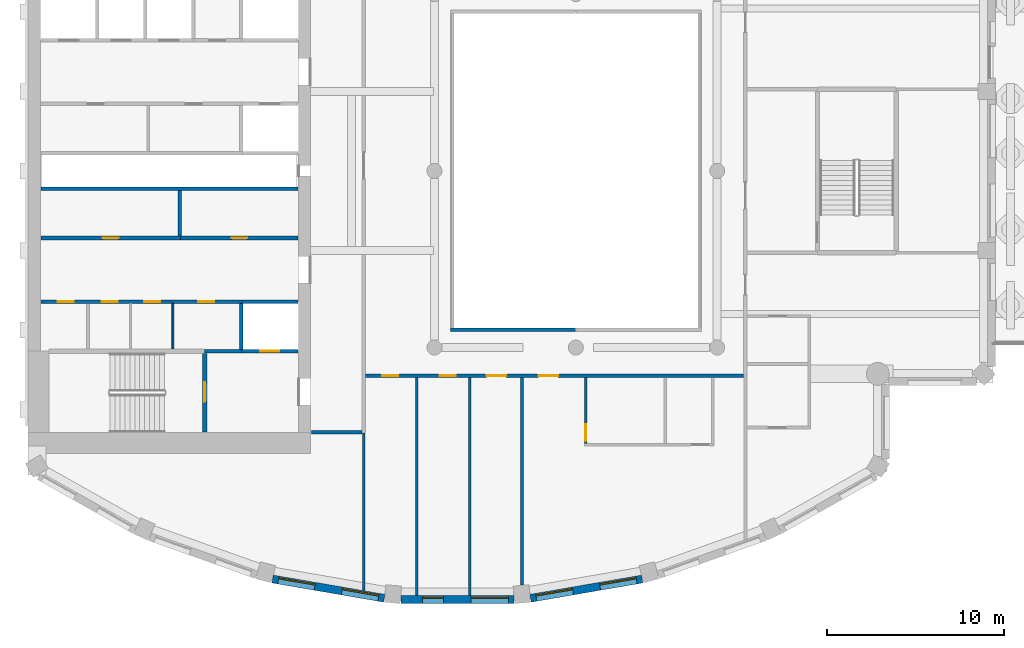
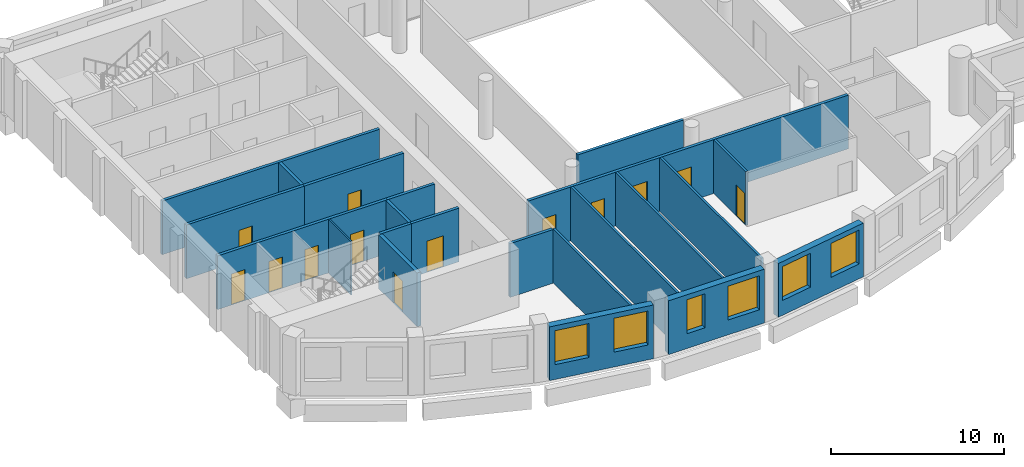
# One storey, part 5 of 15: 22 walls, 13 doors, 6 windows, 19 openings.
"""IFC4 building model written with IfcOpenShell, lengths in metres."""

from ifc_helpers import new_model, si_unit, direction, frame, frame_2d, origin, place, context, subcontext, project, spatial, rectangle, extrude, material, layer, layer_set, type_object, element, fill, save


model = new_model("IFC4")

# Units and contexts
model_context = context("Model", 3, precision=1e-05, world=origin(), true_north=direction((0.0, 1.0)))
body_context = subcontext(model_context, "Body", "Model", "MODEL_VIEW")
ifc_project = project(units=[si_unit("LENGTHUNIT", "METRE"), si_unit("AREAUNIT", "SQUARE_METRE"), si_unit("VOLUMEUNIT", "CUBIC_METRE"), si_unit("PLANEANGLEUNIT", "RADIAN"), si_unit("MASSUNIT", "GRAM", prefix="KILO")], contexts=[model_context])

# Site, building, storey
site_placement = place(None, origin())
site = spatial("IfcSite", under=ifc_project, at=site_placement, CompositionType="ELEMENT")
building_placement = place(site_placement, origin())
building = spatial("IfcBuilding", under=site, at=building_placement, Name="Cypress Arch Tower", CompositionType="ELEMENT")
storey_placement = place(building_placement, frame((0.0, 0.0, 243.39990234375)))
storey = spatial("IfcBuildingStorey", under=building, at=storey_placement, Name="L54", CompositionType="ELEMENT", Elevation=243.39990234375)

# Wall, openings, windows
ifc_material_1 = material(Name="Brick (red buff blend)", Category="masonry")
ifc_layer_1 = layer(ifc_material_1, 0.449951171875)
ifc_layer_set_1 = layer_set([ifc_layer_1], Name="Brick pier and spandrel wall BW450")
wall_type_1 = type_object("IfcWallType", Name="Brick pier and spandrel wall BW450", PredefinedType="SOLIDWALL", material=ifc_layer_set_1)
wall_1_placement = place(storey_placement, frame((-16.15673828125, -23.09716796875, 0.0), z_axis=(0.0, 0.0, 1.0), x_axis=(0.985502073964, -0.169663379113, 0.0)))
wall_1 = element("IfcWall", 1, at=wall_1_placement, inside=storey, type_object=wall_type_1, Name="Brick wall L54 C10.0", PredefinedType="SOLIDWALL", context=body_context, shape_type="SweptSolid", body=[
    extrude(rectangle(XDim=6.412109375, YDim=0.449951171875, at=frame_2d((3.2060546875, 0.0))), origin(), (0.0, 0.0, 1.0), 3.800048828125),
])
opening_1_placement = place(wall_1_placement, frame((0.3271484375, 0.0, 1.050048828125)))
opening_1 = element("IfcOpeningElement", 2, at=opening_1_placement, cuts=wall_1, Name="Opening W210O", PredefinedType="OPENING", context=body_context, shape_type="SweptSolid", body=[
    extrude(rectangle(XDim=2.10009765625, YDim=2.39990234375, at=frame_2d((1.050048828125, 1.199951171875))), frame((0.0, 0.23486328125, 0.0), z_axis=(0.0, -1.0, 0.0), x_axis=(1.0, 0.0, 0.0)), (0.0, 0.0, 1.0), 0.469970703125),
])
opening_2_placement = place(wall_1_placement, frame((3.98486328125, 0.0, 1.050048828125)))
opening_2 = element("IfcOpeningElement", 3, at=opening_2_placement, cuts=wall_1, Name="Opening W210O", PredefinedType="OPENING", context=body_context, shape_type="SweptSolid", body=[
    extrude(rectangle(XDim=2.10009765625, YDim=2.39990234375, at=frame_2d((1.050048828125, 1.199951171875))), frame((0.0, 0.23486328125, 0.0), z_axis=(0.0, -1.0, 0.0), x_axis=(1.0, 0.0, 0.0)), (0.0, 0.0, 1.0), 0.469970703125),
])
ifc_material_2 = material(Name="Anodised aluminium, bronze finish, clear low-emissivity double glazing", Category="aluminium")
window_type_1 = type_object("IfcWindowType", Name="Window Office 2100x2400", PartitioningType="SINGLE_PANEL", PredefinedType="WINDOW", material=ifc_material_2)
window_1_placement = place(opening_1_placement, origin())
window_1 = element("IfcWindow", 4, at=window_1_placement, inside=storey, type_object=window_type_1, Name="Window L54 C10.0.1", OverallHeight=2.39990234375, OverallWidth=2.10009765625, PartitioningType="SINGLE_PANEL", PredefinedType="WINDOW", context=body_context, shape_type="SweptSolid", body=[
    extrude(rectangle(XDim=2.10009765625, YDim=2.39990234375, at=frame_2d((1.050048828125, 1.199951171875))), frame((0.0, 0.135009765625, 0.0), z_axis=(0.0, -1.0, 0.0), x_axis=(1.0, 0.0, 0.0)), (0.0, 0.0, 1.0), 0.06005859375),
])
fill(opening_1, window_1)
window_2_placement = place(opening_2_placement, origin())
window_2 = element("IfcWindow", 5, at=window_2_placement, inside=storey, type_object=window_type_1, Name="Window L54 C10.0.2", OverallHeight=2.39990234375, OverallWidth=2.10009765625, PartitioningType="SINGLE_PANEL", PredefinedType="WINDOW", context=body_context, shape_type="SweptSolid", body=[
    extrude(rectangle(XDim=2.10009765625, YDim=2.39990234375, at=frame_2d((1.050048828125, 1.199951171875))), frame((0.0, 0.135009765625, 0.0), z_axis=(0.0, -1.0, 0.0), x_axis=(1.0, 0.0, 0.0)), (0.0, 0.0, 1.0), 0.06005859375),
])
fill(opening_2, window_2)

wall_2_placement = place(storey_placement, frame((-8.90283203125, -24.264892578125, 0.0), z_axis=(0.0, 0.0, 1.0), x_axis=(1.0, 0.0, 0.0)))
wall_2 = element("IfcWall", 6, at=wall_2_placement, inside=storey, type_object=wall_type_1, Name="Brick wall L54 C11.0", PredefinedType="SOLIDWALL", context=body_context, shape_type="SweptSolid", body=[
    extrude(rectangle(XDim=6.405517578125, YDim=0.449951171875, at=frame_2d((3.20263671875, 0.0))), origin(), (0.0, 0.0, 1.0), 3.800048828125),
])
opening_3_placement = place(wall_2_placement, frame((3.97998046875, 0.0, 1.050048828125)))
opening_3 = element("IfcOpeningElement", 7, at=opening_3_placement, cuts=wall_2, Name="Opening W210O", PredefinedType="OPENING", context=body_context, shape_type="SweptSolid", body=[
    extrude(rectangle(XDim=2.10009765625, YDim=2.39990234375, at=frame_2d((1.050048828125, 1.199951171875))), frame((0.0, 0.23486328125, 0.0), z_axis=(0.0, -1.0, 0.0), x_axis=(1.0, 0.0, 0.0)), (0.0, 0.0, 1.0), 0.469970703125),
])
opening_4_placement = place(wall_2_placement, frame((1.214111328125, 0.0, 1.050048828125)))
opening_4 = element("IfcOpeningElement", 8, at=opening_4_placement, cuts=wall_2, Name="Opening W120O", PredefinedType="OPENING", context=body_context, shape_type="SweptSolid", body=[
    extrude(rectangle(XDim=1.199951171875, YDim=2.39990234375, at=frame_2d((0.60009765625, 1.199951171875))), frame((0.0, 0.23486328125, 0.0), z_axis=(0.0, -1.0, 0.0), x_axis=(1.0, 0.0, 0.0)), (0.0, 0.0, 1.0), 0.469970703125),
])
ifc_material_3 = material(Name="Anodised aluminium, bronze finish, clear low-emissivity double glazing", Category="aluminium")
window_type_2 = type_object("IfcWindowType", Name="Window Office 1200x2400", PartitioningType="SINGLE_PANEL", PredefinedType="WINDOW", material=ifc_material_3)
window_3_placement = place(opening_4_placement, origin())
window_3 = element("IfcWindow", 9, at=window_3_placement, inside=storey, type_object=window_type_2, Name="Window L54 C11.0.1", OverallHeight=2.39990234375, OverallWidth=1.199951171875, PartitioningType="SINGLE_PANEL", PredefinedType="WINDOW", context=body_context, shape_type="SweptSolid", body=[
    extrude(rectangle(XDim=1.199951171875, YDim=2.39990234375, at=frame_2d((0.60009765625, 1.199951171875))), frame((0.0, 0.135009765625, 0.0), z_axis=(0.0, -1.0, 0.0), x_axis=(1.0, 0.0, 0.0)), (0.0, 0.0, 1.0), 0.06005859375),
])
fill(opening_4, window_3)
window_4_placement = place(opening_3_placement, origin())
window_4 = element("IfcWindow", 10, at=window_4_placement, inside=storey, type_object=window_type_1, Name="Window L54 C11.0.2", OverallHeight=2.39990234375, OverallWidth=2.10009765625, PartitioningType="SINGLE_PANEL", PredefinedType="WINDOW", context=body_context, shape_type="SweptSolid", body=[
    extrude(rectangle(XDim=2.10009765625, YDim=2.39990234375, at=frame_2d((1.050048828125, 1.199951171875))), frame((0.0, 0.135009765625, 0.0), z_axis=(0.0, -1.0, 0.0), x_axis=(1.0, 0.0, 0.0)), (0.0, 0.0, 1.0), 0.06005859375),
])
fill(opening_3, window_4)

wall_3_placement = place(storey_placement, frame((-1.562255859375, -24.18505859375, 0.0), z_axis=(0.0, 0.0, 1.0), x_axis=(0.985502073964, 0.169663379113, 0.0)))
wall_3 = element("IfcWall", 11, at=wall_3_placement, inside=storey, type_object=wall_type_1, Name="Brick wall L54 C12.0", PredefinedType="SOLIDWALL", context=body_context, shape_type="SweptSolid", body=[
    extrude(rectangle(XDim=6.412109375, YDim=0.449951171875, at=frame_2d((3.2060546875, 0.0))), origin(), (0.0, 0.0, 1.0), 3.800048828125),
])
opening_5_placement = place(wall_3_placement, frame((0.3271484375, 0.0, 1.050048828125)))
opening_5 = element("IfcOpeningElement", 12, at=opening_5_placement, cuts=wall_3, Name="Opening W210O", PredefinedType="OPENING", context=body_context, shape_type="SweptSolid", body=[
    extrude(rectangle(XDim=2.10009765625, YDim=2.39990234375, at=frame_2d((1.050048828125, 1.199951171875))), frame((0.0, 0.23486328125, 0.0), z_axis=(0.0, -1.0, 0.0), x_axis=(1.0, 0.0, 0.0)), (0.0, 0.0, 1.0), 0.469970703125),
])
opening_6_placement = place(wall_3_placement, frame((3.98486328125, 0.0, 1.050048828125)))
opening_6 = element("IfcOpeningElement", 13, at=opening_6_placement, cuts=wall_3, Name="Opening W210O", PredefinedType="OPENING", context=body_context, shape_type="SweptSolid", body=[
    extrude(rectangle(XDim=2.10009765625, YDim=2.39990234375, at=frame_2d((1.050048828125, 1.199951171875))), frame((0.0, 0.23486328125, 0.0), z_axis=(0.0, -1.0, 0.0), x_axis=(1.0, 0.0, 0.0)), (0.0, 0.0, 1.0), 0.469970703125),
])
window_5_placement = place(opening_5_placement, origin())
window_5 = element("IfcWindow", 14, at=window_5_placement, inside=storey, type_object=window_type_1, Name="Window L54 C12.0.1", OverallHeight=2.39990234375, OverallWidth=2.10009765625, PartitioningType="SINGLE_PANEL", PredefinedType="WINDOW", context=body_context, shape_type="SweptSolid", body=[
    extrude(rectangle(XDim=2.10009765625, YDim=2.39990234375, at=frame_2d((1.050048828125, 1.199951171875))), frame((0.0, 0.135009765625, 0.0), z_axis=(0.0, -1.0, 0.0), x_axis=(1.0, 0.0, 0.0)), (0.0, 0.0, 1.0), 0.06005859375),
])
fill(opening_5, window_5)
window_6_placement = place(opening_6_placement, origin())
window_6 = element("IfcWindow", 15, at=window_6_placement, inside=storey, type_object=window_type_1, Name="Window L54 C12.0.2", OverallHeight=2.39990234375, OverallWidth=2.10009765625, PartitioningType="SINGLE_PANEL", PredefinedType="WINDOW", context=body_context, shape_type="SweptSolid", body=[
    extrude(rectangle(XDim=2.10009765625, YDim=2.39990234375, at=frame_2d((1.050048828125, 1.199951171875))), frame((0.0, 0.135009765625, 0.0), z_axis=(0.0, -1.0, 0.0), x_axis=(1.0, 0.0, 0.0)), (0.0, 0.0, 1.0), 0.06005859375),
])
fill(opening_6, window_6)

# Wall, openings, doors
ifc_material_4 = material(Name="Concrete blockwork, plastered, rated", Category="masonry")
ifc_layer_2 = layer(ifc_material_4, 0.199951171875)
ifc_layer_set_2 = layer_set([ifc_layer_2], Name="Corridor wall FW200")
wall_type_2 = type_object("IfcWallType", Name="Corridor wall FW200", PredefinedType="PARTITIONING", material=ifc_layer_set_2)
wall_4_placement = place(storey_placement, frame((-29.27001953125, -7.39990234375, 0.0), z_axis=(0.0, 0.0, 1.0), x_axis=(1.0, 0.0, 0.0)))
wall_4 = element("IfcWall", 16, at=wall_4_placement, inside=storey, type_object=wall_type_2, Name="Corridor wall", PredefinedType="PARTITIONING", context=body_context, shape_type="SweptSolid", body=[
    extrude(rectangle(XDim=11.3701171875, YDim=0.199951171875, at=frame_2d((5.68505859375, 0.0))), origin(), (0.0, 0.0, 1.0), 3.800048828125),
])
opening_7_placement = place(wall_4_placement, frame((0.949951171875, 0.0, 0.0)))
opening_7 = element("IfcOpeningElement", 17, at=opening_7_placement, cuts=wall_4, Name="Opening D05", PredefinedType="OPENING", context=body_context, shape_type="SweptSolid", body=[
    extrude(rectangle(XDim=0.89990234375, YDim=2.199951171875, at=frame_2d((0.449951171875, 1.10009765625))), frame((0.0, 0.10986328125, 0.0), z_axis=(0.0, -1.0, 0.0), x_axis=(1.0, 0.0, 0.0)), (0.0, 0.0, 1.0), 0.219970703125),
])
opening_8_placement = place(wall_4_placement, frame((3.449951171875, 0.0, 0.0)))
opening_8 = element("IfcOpeningElement", 18, at=opening_8_placement, cuts=wall_4, Name="Opening D05", PredefinedType="OPENING", context=body_context, shape_type="SweptSolid", body=[
    extrude(rectangle(XDim=0.89990234375, YDim=2.199951171875, at=frame_2d((0.449951171875, 1.10009765625))), frame((0.0, 0.10986328125, 0.0), z_axis=(0.0, -1.0, 0.0), x_axis=(1.0, 0.0, 0.0)), (0.0, 0.0, 1.0), 0.219970703125),
])
opening_9_placement = place(wall_4_placement, frame((5.85009765625, 0.0, 0.0)))
opening_9 = element("IfcOpeningElement", 19, at=opening_9_placement, cuts=wall_4, Name="Opening D05", PredefinedType="OPENING", context=body_context, shape_type="SweptSolid", body=[
    extrude(rectangle(XDim=0.89990234375, YDim=2.199951171875, at=frame_2d((0.449951171875, 1.10009765625))), frame((0.0, 0.10986328125, 0.0), z_axis=(0.0, -1.0, 0.0), x_axis=(1.0, 0.0, 0.0)), (0.0, 0.0, 1.0), 0.219970703125),
])
opening_10_placement = place(wall_4_placement, frame((8.89990234375, 0.0, 0.0)))
opening_10 = element("IfcOpeningElement", 20, at=opening_10_placement, cuts=wall_4, Name="Opening D05", PredefinedType="OPENING", context=body_context, shape_type="SweptSolid", body=[
    extrude(rectangle(XDim=0.89990234375, YDim=2.199951171875, at=frame_2d((0.449951171875, 1.10009765625))), frame((0.0, 0.10986328125, 0.0), z_axis=(0.0, -1.0, 0.0), x_axis=(1.0, 0.0, 0.0)), (0.0, 0.0, 1.0), 0.219970703125),
])
ifc_material_5 = material(Name="Timber flush door", Category="wood")
door_type_1 = type_object("IfcDoorType", Name="Service door D05 900x2200", OperationType="SINGLE_SWING_LEFT", PredefinedType="DOOR", material=ifc_material_5)
door_1_placement = place(opening_7_placement, origin())
door_1 = element("IfcDoor", 21, at=door_1_placement, inside=storey, type_object=door_type_1, Name="Service door", OperationType="SINGLE_SWING_LEFT", OverallHeight=2.199951171875, OverallWidth=0.89990234375, PredefinedType="DOOR", context=body_context, shape_type="SweptSolid", body=[
    extrude(rectangle(XDim=0.89990234375, YDim=2.199951171875, at=frame_2d((0.449951171875, 1.10009765625))), frame((0.0, 0.02490234375, 0.0), z_axis=(0.0, -1.0, 0.0), x_axis=(1.0, 0.0, 0.0)), (0.0, 0.0, 1.0), 0.050048828125),
])
fill(opening_7, door_1)
door_2_placement = place(opening_8_placement, origin())
door_2 = element("IfcDoor", 22, at=door_2_placement, inside=storey, type_object=door_type_1, Name="Service door", OperationType="SINGLE_SWING_LEFT", OverallHeight=2.199951171875, OverallWidth=0.89990234375, PredefinedType="DOOR", context=body_context, shape_type="SweptSolid", body=[
    extrude(rectangle(XDim=0.89990234375, YDim=2.199951171875, at=frame_2d((0.449951171875, 1.10009765625))), frame((0.0, 0.02490234375, 0.0), z_axis=(0.0, -1.0, 0.0), x_axis=(1.0, 0.0, 0.0)), (0.0, 0.0, 1.0), 0.050048828125),
])
fill(opening_8, door_2)
door_3_placement = place(opening_9_placement, origin())
door_3 = element("IfcDoor", 23, at=door_3_placement, inside=storey, type_object=door_type_1, Name="Service door", OperationType="SINGLE_SWING_LEFT", OverallHeight=2.199951171875, OverallWidth=0.89990234375, PredefinedType="DOOR", context=body_context, shape_type="SweptSolid", body=[
    extrude(rectangle(XDim=0.89990234375, YDim=2.199951171875, at=frame_2d((0.449951171875, 1.10009765625))), frame((0.0, 0.02490234375, 0.0), z_axis=(0.0, -1.0, 0.0), x_axis=(1.0, 0.0, 0.0)), (0.0, 0.0, 1.0), 0.050048828125),
])
fill(opening_9, door_3)
door_4_placement = place(opening_10_placement, origin())
door_4 = element("IfcDoor", 24, at=door_4_placement, inside=storey, type_object=door_type_1, Name="Service door", OperationType="SINGLE_SWING_RIGHT", OverallHeight=2.199951171875, OverallWidth=0.89990234375, PredefinedType="DOOR", context=body_context, shape_type="SweptSolid", body=[
    extrude(rectangle(XDim=0.89990234375, YDim=2.199951171875, at=frame_2d((0.449951171875, 1.10009765625))), frame((0.0, 0.02490234375, 0.0), z_axis=(0.0, -1.0, 0.0), x_axis=(1.0, 0.0, 0.0)), (0.0, 0.0, 1.0), 0.050048828125),
])
fill(opening_10, door_4)

# Wall, opening, door
wall_5_placement = place(storey_placement, frame((-21.3798828125, -3.800048828125, 0.0), z_axis=(0.0, 0.0, 1.0), x_axis=(1.0, 0.0, 0.0)))
wall_5 = element("IfcWall", 25, at=wall_5_placement, inside=storey, type_object=wall_type_2, Name="Corridor wall", PredefinedType="PARTITIONING", context=body_context, shape_type="SweptSolid", body=[
    extrude(rectangle(XDim=6.64990234375, YDim=0.199951171875, at=frame_2d((3.324951171875, 0.0))), origin(), (0.0, 0.0, 1.0), 3.800048828125),
])
opening_11_placement = place(wall_5_placement, frame((2.89990234375, 0.0, 0.0)))
opening_11 = element("IfcOpeningElement", 26, at=opening_11_placement, cuts=wall_5, Name="Opening D05", PredefinedType="OPENING", context=body_context, shape_type="SweptSolid", body=[
    extrude(rectangle(XDim=0.89990234375, YDim=2.199951171875, at=frame_2d((0.449951171875, 1.10009765625))), frame((0.0, 0.10986328125, 0.0), z_axis=(0.0, -1.0, 0.0), x_axis=(1.0, 0.0, 0.0)), (0.0, 0.0, 1.0), 0.219970703125),
])
door_5_placement = place(opening_11_placement, origin())
door_5 = element("IfcDoor", 27, at=door_5_placement, inside=storey, type_object=door_type_1, Name="Service door", OperationType="SINGLE_SWING_LEFT", OverallHeight=2.199951171875, OverallWidth=0.89990234375, PredefinedType="DOOR", context=body_context, shape_type="SweptSolid", body=[
    extrude(rectangle(XDim=0.89990234375, YDim=2.199951171875, at=frame_2d((0.449951171875, 1.10009765625))), frame((0.0, 0.02490234375, 0.0), z_axis=(0.0, -1.0, 0.0), x_axis=(1.0, 0.0, 0.0)), (0.0, 0.0, 1.0), 0.050048828125),
])
fill(opening_11, door_5)

# Walls
wall_6_placement = place(storey_placement, frame((-20.0, -10.199951171875, 0.0), z_axis=(0.0, 0.0, 1.0), x_axis=(1.0, 0.0, 0.0)))
element("IfcWall", 28, at=wall_6_placement, inside=storey, type_object=wall_type_2, Name="Corridor wall", PredefinedType="PARTITIONING", context=body_context, shape_type="SweptSolid", body=[
    extrude(rectangle(XDim=2.080078125, YDim=0.199951171875, at=frame_2d((1.0400390625, 0.0))), origin(), (0.0, 0.0, 1.0), 3.800048828125),
])
wall_7_placement = place(storey_placement, frame((-13.969970703125, -14.800048828125, 0.0), z_axis=(0.0, 0.0, 1.0), x_axis=(1.0, 0.0, 0.0)))
element("IfcWall", 29, at=wall_7_placement, inside=storey, type_object=wall_type_2, Name="Corridor wall", PredefinedType="PARTITIONING", context=body_context, shape_type="SweptSolid", body=[
    extrude(rectangle(XDim=2.869873046875, YDim=0.199951171875, at=frame_2d((1.43505859375, 0.0))), origin(), (0.0, 0.0, 1.0), 3.800048828125),
])

# Wall, openings, doors
wall_8_placement = place(storey_placement, frame((-10.89990234375, -11.60009765625, 0.0), z_axis=(0.0, 0.0, 1.0), x_axis=(1.0, 0.0, 0.0)))
wall_8 = element("IfcWall", 30, at=wall_8_placement, inside=storey, type_object=wall_type_2, Name="Corridor wall", PredefinedType="PARTITIONING", context=body_context, shape_type="SweptSolid", body=[
    extrude(rectangle(XDim=21.39990234375, YDim=0.199951171875, at=frame_2d((10.699951171875, 0.0))), origin(), (0.0, 0.0, 1.0), 3.800048828125),
])
opening_12_placement = place(wall_8_placement, frame((0.949951171875, 0.0, 0.0)))
opening_12 = element("IfcOpeningElement", 31, at=opening_12_placement, cuts=wall_8, Name="Opening D05", PredefinedType="OPENING", context=body_context, shape_type="SweptSolid", body=[
    extrude(rectangle(XDim=0.89990234375, YDim=2.199951171875, at=frame_2d((0.449951171875, 1.10009765625))), frame((0.0, 0.10986328125, 0.0), z_axis=(0.0, -1.0, 0.0), x_axis=(1.0, 0.0, 0.0)), (0.0, 0.0, 1.0), 0.219970703125),
])
opening_13_placement = place(wall_8_placement, frame((4.199951171875, 0.0, 0.0)))
opening_13 = element("IfcOpeningElement", 32, at=opening_13_placement, cuts=wall_8, Name="Opening D05", PredefinedType="OPENING", context=body_context, shape_type="SweptSolid", body=[
    extrude(rectangle(XDim=0.89990234375, YDim=2.199951171875, at=frame_2d((0.449951171875, 1.10009765625))), frame((0.0, 0.10986328125, 0.0), z_axis=(0.0, -1.0, 0.0), x_axis=(1.0, 0.0, 0.0)), (0.0, 0.0, 1.0), 0.219970703125),
])
opening_14_placement = place(wall_8_placement, frame((6.85009765625, 0.0, 0.0)))
opening_14 = element("IfcOpeningElement", 33, at=opening_14_placement, cuts=wall_8, Name="Opening D01", PredefinedType="OPENING", context=body_context, shape_type="SweptSolid", body=[
    extrude(rectangle(XDim=1.10009765625, YDim=2.39990234375, at=frame_2d((0.550048828125, 1.199951171875))), frame((0.0, 0.10986328125, 0.0), z_axis=(0.0, -1.0, 0.0), x_axis=(1.0, 0.0, 0.0)), (0.0, 0.0, 1.0), 0.219970703125),
])
opening_15_placement = place(wall_8_placement, frame((9.800048828125, 0.0, 0.0)))
opening_15 = element("IfcOpeningElement", 34, at=opening_15_placement, cuts=wall_8, Name="Opening D01", PredefinedType="OPENING", context=body_context, shape_type="SweptSolid", body=[
    extrude(rectangle(XDim=1.10009765625, YDim=2.39990234375, at=frame_2d((0.550048828125, 1.199951171875))), frame((0.0, 0.10986328125, 0.0), z_axis=(0.0, -1.0, 0.0), x_axis=(1.0, 0.0, 0.0)), (0.0, 0.0, 1.0), 0.219970703125),
])
door_6_placement = place(opening_12_placement, origin())
door_6 = element("IfcDoor", 35, at=door_6_placement, inside=storey, type_object=door_type_1, Name="Service door", OperationType="SINGLE_SWING_RIGHT", OverallHeight=2.199951171875, OverallWidth=0.89990234375, PredefinedType="DOOR", context=body_context, shape_type="SweptSolid", body=[
    extrude(rectangle(XDim=0.89990234375, YDim=2.199951171875, at=frame_2d((0.449951171875, 1.10009765625))), frame((0.0, 0.02490234375, 0.0), z_axis=(0.0, -1.0, 0.0), x_axis=(1.0, 0.0, 0.0)), (0.0, 0.0, 1.0), 0.050048828125),
])
fill(opening_12, door_6)
door_7_placement = place(opening_13_placement, origin())
door_7 = element("IfcDoor", 36, at=door_7_placement, inside=storey, type_object=door_type_1, Name="Service door", OperationType="SINGLE_SWING_LEFT", OverallHeight=2.199951171875, OverallWidth=0.89990234375, PredefinedType="DOOR", context=body_context, shape_type="SweptSolid", body=[
    extrude(rectangle(XDim=0.89990234375, YDim=2.199951171875, at=frame_2d((0.449951171875, 1.10009765625))), frame((0.0, 0.02490234375, 0.0), z_axis=(0.0, -1.0, 0.0), x_axis=(1.0, 0.0, 0.0)), (0.0, 0.0, 1.0), 0.050048828125),
])
fill(opening_13, door_7)
ifc_material_6 = material(Name="Timber flush door, fire resisting, self-closing", Category="wood")
door_type_2 = type_object("IfcDoorType", Name="Unit entrance door D01 1100x2400", OperationType="SINGLE_SWING_LEFT", PredefinedType="DOOR", material=ifc_material_6)
door_8_placement = place(opening_14_placement, origin())
door_8 = element("IfcDoor", 37, at=door_8_placement, inside=storey, type_object=door_type_2, Name="Unit entrance door", OperationType="SINGLE_SWING_LEFT", OverallHeight=2.39990234375, OverallWidth=1.10009765625, PredefinedType="DOOR", context=body_context, shape_type="SweptSolid", body=[
    extrude(rectangle(XDim=1.10009765625, YDim=2.39990234375, at=frame_2d((0.550048828125, 1.199951171875))), frame((0.0, 0.02490234375, 0.0), z_axis=(0.0, -1.0, 0.0), x_axis=(1.0, 0.0, 0.0)), (0.0, 0.0, 1.0), 0.050048828125),
])
fill(opening_14, door_8)
door_9_placement = place(opening_15_placement, origin())
door_9 = element("IfcDoor", 38, at=door_9_placement, inside=storey, type_object=door_type_2, Name="Unit entrance door", OperationType="SINGLE_SWING_RIGHT", OverallHeight=2.39990234375, OverallWidth=1.10009765625, PredefinedType="DOOR", context=body_context, shape_type="SweptSolid", body=[
    extrude(rectangle(XDim=1.10009765625, YDim=2.39990234375, at=frame_2d((0.550048828125, 1.199951171875))), frame((0.0, 0.02490234375, 0.0), z_axis=(0.0, -1.0, 0.0), x_axis=(1.0, 0.0, 0.0)), (0.0, 0.0, 1.0), 0.050048828125),
])
fill(opening_15, door_9)

# Walls
wall_9_placement = place(storey_placement, frame((-6.10009765625, -9.0, 0.0), z_axis=(0.0, 0.0, 1.0), x_axis=(1.0, 0.0, 0.0)))
element("IfcWall", 39, at=wall_9_placement, inside=storey, type_object=wall_type_2, Name="Corridor wall", PredefinedType="PARTITIONING", context=body_context, shape_type="SweptSolid", body=[
    extrude(rectangle(XDim=7.080078125, YDim=0.199951171875, at=frame_2d((3.5400390625, 0.0))), origin(), (0.0, 0.0, 1.0), 3.800048828125),
])
ifc_material_7 = material(Name="Blockwork, plastered both sides", Category="masonry")
ifc_layer_3 = layer(ifc_material_7, 0.14990234375)
ifc_layer_set_3 = layer_set([ifc_layer_3], Name="Partition PW150")
wall_type_3 = type_object("IfcWallType", Name="Partition PW150", PredefinedType="PARTITIONING", material=ifc_layer_set_3)
wall_10_placement = place(storey_placement, frame((-11.0, -23.756591796875, 0.0), z_axis=(0.0, 0.0, 1.0), x_axis=(0.0, 1.0, 0.0)))
element("IfcWall", 40, at=wall_10_placement, inside=storey, type_object=wall_type_3, Name="Partition", PredefinedType="PARTITIONING", context=body_context, shape_type="SweptSolid", body=[
    extrude(rectangle(XDim=8.9365234375, YDim=0.14990234375, at=frame_2d((4.46826171875, 0.0))), origin(), (0.0, 0.0, 1.0), 3.800048828125),
])
for number, where, z_axis, x_axis, name in (
    (41, (-8.0, -24.0400390625, 0.0), (0.0, 0.0, 1.0), (0.0, 1.0, 0.0), "Partition"),
    (42, (-5.0, -24.0400390625, 0.0), (0.0, 0.0, 1.0), (0.0, 1.0, 0.0), "Partition"),
):
    element("IfcWall", number, at=place(storey_placement, frame(where, z_axis=z_axis, x_axis=x_axis)), inside=storey, type_object=wall_type_3, Name=name, PredefinedType="PARTITIONING", context=body_context, shape_type="SweptSolid", body=[
        extrude(rectangle(XDim=12.340087890625, YDim=0.14990234375, at=frame_2d((6.169921875, 0.0))), origin(), (0.0, 0.0, 1.0), 3.800048828125),
    ])
wall_11_placement = place(storey_placement, frame((-2.0458984375, -23.441162109375, 0.0), z_axis=(0.0, 0.0, 1.0), x_axis=(0.0, 1.0, 0.0)))
element("IfcWall", 43, at=wall_11_placement, inside=storey, type_object=wall_type_3, Name="Partition", PredefinedType="PARTITIONING", context=body_context, shape_type="SweptSolid", body=[
    extrude(rectangle(XDim=11.7412109375, YDim=0.14990234375, at=frame_2d((5.87060546875, 0.0))), origin(), (0.0, 0.0, 1.0), 3.800048828125),
])

# Wall, opening, door
wall_12_placement = place(storey_placement, frame((1.553955078125, -15.425048828125, 0.0), z_axis=(0.0, 0.0, 1.0), x_axis=(0.0, 1.0, 0.0)))
wall_12 = element("IfcWall", 44, at=wall_12_placement, inside=storey, type_object=wall_type_3, Name="Partition", PredefinedType="PARTITIONING", context=body_context, shape_type="SweptSolid", body=[
    extrude(rectangle(XDim=3.72509765625, YDim=0.14990234375, at=frame_2d((1.862548828125, 0.0))), origin(), (0.0, 0.0, 1.0), 3.800048828125),
])
opening_16_placement = place(wall_12_placement, frame((0.14990234375, 0.0, 0.0)))
opening_16 = element("IfcOpeningElement", 45, at=opening_16_placement, cuts=wall_12, Name="Opening D12", PredefinedType="OPENING", context=body_context, shape_type="SweptSolid", body=[
    extrude(rectangle(XDim=0.949951171875, YDim=2.199951171875, at=frame_2d((0.47509765625, 1.10009765625))), frame((0.0, 0.0849609375, 0.0), z_axis=(0.0, -1.0, 0.0), x_axis=(1.0, 0.0, 0.0)), (0.0, 0.0, 1.0), 0.169921875),
])
ifc_material_8 = material(Name="Timber flush door", Category="wood")
door_type_3 = type_object("IfcDoorType", Name="Room door D12 950x2200", OperationType="SINGLE_SWING_LEFT", PredefinedType="DOOR", material=ifc_material_8)
door_10_placement = place(opening_16_placement, origin())
door_10 = element("IfcDoor", 46, at=door_10_placement, inside=storey, type_object=door_type_3, Name="Room door", OperationType="SINGLE_SWING_RIGHT", OverallHeight=2.199951171875, OverallWidth=0.949951171875, PredefinedType="DOOR", context=body_context, shape_type="SweptSolid", body=[
    extrude(rectangle(XDim=0.949951171875, YDim=2.199951171875, at=frame_2d((0.47509765625, 1.10009765625))), frame((0.0, 0.02490234375, 0.0), z_axis=(0.0, -1.0, 0.0), x_axis=(1.0, 0.0, 0.0)), (0.0, 0.0, 1.0), 0.050048828125),
])
fill(opening_16, door_10)

ifc_material_9 = material(Name="Reinforced blockwork, plastered, rated", Category="masonry")
ifc_layer_4 = layer(ifc_material_9, 0.199951171875)
ifc_layer_set_4 = layer_set([ifc_layer_4], Name="Plant and riser wall PL200")
wall_type_4 = type_object("IfcWallType", Name="Plant and riser wall PL200", PredefinedType="PARTITIONING", material=ifc_layer_set_4)
wall_13_placement = place(storey_placement, frame((-29.27001953125, -3.800048828125, 0.0), z_axis=(0.0, 0.0, 1.0), x_axis=(1.0, 0.0, 0.0)))
wall_13 = element("IfcWall", 47, at=wall_13_placement, inside=storey, type_object=wall_type_4, Name="Plant and riser wall", PredefinedType="PARTITIONING", context=body_context, shape_type="SweptSolid", body=[
    extrude(rectangle(XDim=7.89013671875, YDim=0.199951171875, at=frame_2d((3.945068359375, 0.0))), origin(), (0.0, 0.0, 1.0), 3.800048828125),
])
opening_17_placement = place(wall_13_placement, frame((3.5, 0.0, 0.0)))
opening_17 = element("IfcOpeningElement", 48, at=opening_17_placement, cuts=wall_13, Name="Opening D05", PredefinedType="OPENING", context=body_context, shape_type="SweptSolid", body=[
    extrude(rectangle(XDim=0.89990234375, YDim=2.199951171875, at=frame_2d((0.449951171875, 1.10009765625))), frame((0.0, 0.10986328125, 0.0), z_axis=(0.0, -1.0, 0.0), x_axis=(1.0, 0.0, 0.0)), (0.0, 0.0, 1.0), 0.219970703125),
])
door_11_placement = place(opening_17_placement, origin())
door_11 = element("IfcDoor", 49, at=door_11_placement, inside=storey, type_object=door_type_1, Name="Service door", OperationType="SINGLE_SWING_RIGHT", OverallHeight=2.199951171875, OverallWidth=0.89990234375, PredefinedType="DOOR", context=body_context, shape_type="SweptSolid", body=[
    extrude(rectangle(XDim=0.89990234375, YDim=2.199951171875, at=frame_2d((0.449951171875, 1.10009765625))), frame((0.0, 0.02490234375, 0.0), z_axis=(0.0, -1.0, 0.0), x_axis=(1.0, 0.0, 0.0)), (0.0, 0.0, 1.0), 0.050048828125),
])
fill(opening_17, door_11)

# Walls
wall_14_placement = place(storey_placement, frame((-29.27001953125, -1.0, 0.0), z_axis=(0.0, 0.0, 1.0), x_axis=(1.0, 0.0, 0.0)))
element("IfcWall", 50, at=wall_14_placement, inside=storey, type_object=wall_type_4, Name="Plant and riser wall", PredefinedType="PARTITIONING", context=body_context, shape_type="SweptSolid", body=[
    extrude(rectangle(XDim=14.5400390625, YDim=0.199951171875, at=frame_2d((7.27001953125, 0.0))), origin(), (0.0, 0.0, 1.0), 3.800048828125),
])
wall_15_placement = place(storey_placement, frame((-21.39990234375, -3.699951171875, 0.0), z_axis=(0.0, 0.0, 1.0), x_axis=(0.0, 1.0, 0.0)))
element("IfcWall", 51, at=wall_15_placement, inside=storey, type_object=wall_type_4, Name="Plant and riser wall", PredefinedType="PARTITIONING", context=body_context, shape_type="SweptSolid", body=[
    extrude(rectangle(XDim=2.599853515625, YDim=0.199951171875, at=frame_2d((1.2998046875, 0.0))), origin(), (0.0, 0.0, 1.0), 3.800048828125),
])
ifc_material_10 = material(Name="Concrete C50/60", Category="concrete")
ifc_layer_5 = layer(ifc_material_10, 0.199951171875)
ifc_layer_set_5 = layer_set([ifc_layer_5], Name="Shaft wall SH200")
wall_type_5 = type_object("IfcWallType", Name="Shaft wall SH200", PredefinedType="SHEAR", material=ifc_layer_set_5)
wall_16_placement = place(storey_placement, frame((-17.919921875, -10.10009765625, 0.0), z_axis=(0.0, 0.0, 1.0), x_axis=(0.0, 1.0, 0.0)))
element("IfcWall", 52, at=wall_16_placement, inside=storey, type_object=wall_type_5, Name="Shaft wall", PredefinedType="SHEAR", context=body_context, shape_type="SweptSolid", body=[
    extrude(rectangle(XDim=2.60009765625, YDim=0.199951171875, at=frame_2d((1.300048828125, 0.0))), origin(), (0.0, 0.0, 1.0), 3.800048828125),
])

# Wall, opening, door
wall_17_placement = place(storey_placement, frame((-17.919921875, -10.199951171875, 0.0), z_axis=(0.0, 0.0, 1.0), x_axis=(1.0, 0.0, 0.0)))
wall_17 = element("IfcWall", 53, at=wall_17_placement, inside=storey, type_object=wall_type_5, Name="Shaft wall", PredefinedType="SHEAR", context=body_context, shape_type="SweptSolid", body=[
    extrude(rectangle(XDim=3.18994140625, YDim=0.199951171875, at=frame_2d((1.594970703125, 0.0))), origin(), (0.0, 0.0, 1.0), 3.800048828125),
])
opening_18_placement = place(wall_17_placement, frame((1.050048828125, 0.0, 0.0)))
opening_18 = element("IfcOpeningElement", 54, at=opening_18_placement, cuts=wall_17, Name="Opening LD-FL1", PredefinedType="OPENING", context=body_context, shape_type="SweptSolid", body=[
    extrude(rectangle(XDim=1.10009765625, YDim=2.199951171875, at=frame_2d((0.550048828125, 1.10009765625))), frame((0.0, 0.10986328125, 0.0), z_axis=(0.0, -1.0, 0.0), x_axis=(1.0, 0.0, 0.0)), (0.0, 0.0, 1.0), 0.219970703125),
])
ifc_material_11 = material(Name="Stainless steel centre-opening landing door, rated", Category="steel")
door_type_4 = type_object("IfcDoorType", Name="Lift landing door LD 1100x2200", OperationType="DOUBLE_DOOR_SLIDING", PredefinedType="DOOR", material=ifc_material_11)
door_12_placement = place(opening_18_placement, origin())
door_12 = element("IfcDoor", 55, at=door_12_placement, inside=storey, type_object=door_type_4, Name="Lift landing doors FL1", OperationType="DOUBLE_DOOR_SLIDING", OverallHeight=2.199951171875, OverallWidth=1.10009765625, PredefinedType="DOOR", context=body_context, shape_type="SweptSolid", body=[
    extrude(rectangle(XDim=1.10009765625, YDim=2.199951171875, at=frame_2d((0.550048828125, 1.10009765625))), frame((0.0, 0.02490234375, 0.0), z_axis=(0.0, -1.0, 0.0), x_axis=(1.0, 0.0, 0.0)), (0.0, 0.0, 1.0), 0.050048828125),
])
fill(opening_18, door_12)

# Wall
wall_18_placement = place(storey_placement, frame((-17.89990234375, -7.39990234375, 0.0), z_axis=(0.0, 0.0, 1.0), x_axis=(1.0, 0.0, 0.0)))
element("IfcWall", 56, at=wall_18_placement, inside=storey, type_object=wall_type_5, Name="Shaft wall", PredefinedType="SHEAR", context=body_context, shape_type="SweptSolid", body=[
    extrude(rectangle(XDim=3.169921875, YDim=0.199951171875, at=frame_2d((1.5849609375, 0.0))), origin(), (0.0, 0.0, 1.0), 3.800048828125),
])

# Wall, opening, door
ifc_material_12 = material(Name="Concrete C50/60", Category="concrete")
ifc_layer_6 = layer(ifc_material_12, 0.25)
ifc_layer_set_6 = layer_set([ifc_layer_6], Name="Stair enclosure wall SW250")
wall_type_6 = type_object("IfcWallType", Name="Stair enclosure wall SW250", PredefinedType="SHEAR", material=ifc_layer_set_6)
wall_19_placement = place(storey_placement, frame((-20.0, -14.77001953125, 0.0), z_axis=(0.0, 0.0, 1.0), x_axis=(0.0, 1.0, 0.0)))
wall_19 = element("IfcWall", 57, at=wall_19_placement, inside=storey, type_object=wall_type_6, Name="Stair enclosure wall", PredefinedType="SHEAR", context=body_context, shape_type="SweptSolid", body=[
    extrude(rectangle(XDim=4.445068359375, YDim=0.25, at=frame_2d((2.22265625, 0.0))), origin(), (0.0, 0.0, 1.0), 3.800048828125),
])
opening_19_placement = place(wall_19_placement, frame((1.699951171875, 0.0, 0.0)))
opening_19 = element("IfcOpeningElement", 58, at=opening_19_placement, cuts=wall_19, Name="Opening D06", PredefinedType="OPENING", context=body_context, shape_type="SweptSolid", body=[
    extrude(rectangle(XDim=1.10009765625, YDim=2.199951171875, at=frame_2d((0.550048828125, 1.10009765625))), frame((0.0, 0.135009765625, 0.0), z_axis=(0.0, -1.0, 0.0), x_axis=(1.0, 0.0, 0.0)), (0.0, 0.0, 1.0), 0.27001953125),
])
ifc_material_13 = material(Name="Steel door, fire resisting, panic bar", Category="steel")
door_type_5 = type_object("IfcDoorType", Name="Stair door D06 1100x2200", OperationType="SINGLE_SWING_LEFT", PredefinedType="DOOR", material=ifc_material_13)
door_13_placement = place(opening_19_placement, origin())
door_13 = element("IfcDoor", 59, at=door_13_placement, inside=storey, type_object=door_type_5, Name="Stair door", OperationType="SINGLE_SWING_RIGHT", OverallHeight=2.199951171875, OverallWidth=1.10009765625, PredefinedType="DOOR", context=body_context, shape_type="SweptSolid", body=[
    extrude(rectangle(XDim=1.10009765625, YDim=2.199951171875, at=frame_2d((0.550048828125, 1.10009765625))), frame((0.0, 0.02490234375, 0.0), z_axis=(0.0, -1.0, 0.0), x_axis=(1.0, 0.0, 0.0)), (0.0, 0.0, 1.0), 0.050048828125),
])
fill(opening_19, door_13)

# Wall
ifc_material_14 = material(Name="Moisture resistant board on steel studs, tiled", Category="steel")
ifc_layer_7 = layer(ifc_material_14, 0.10009765625)
ifc_layer_set_7 = layer_set([ifc_layer_7], Name="Wet wall PW100")
wall_type_7 = type_object("IfcWallType", Name="Wet wall PW100", PredefinedType="PARTITIONING", material=ifc_layer_set_7)
wall_20_placement = place(storey_placement, frame((-21.800048828125, -10.074951171875, 0.0), z_axis=(0.0, 0.0, 1.0), x_axis=(0.0, 1.0, 0.0)))
element("IfcWall", 60, at=wall_20_placement, inside=storey, type_object=wall_type_7, Name="Wet wall", PredefinedType="PARTITIONING", context=body_context, shape_type="SweptSolid", body=[
    extrude(rectangle(XDim=2.574951171875, YDim=0.10009765625, at=frame_2d((1.28759765625, 0.0))), origin(), (0.0, 0.0, 1.0), 3.800048828125),
])

save(model, "model.ifc")
